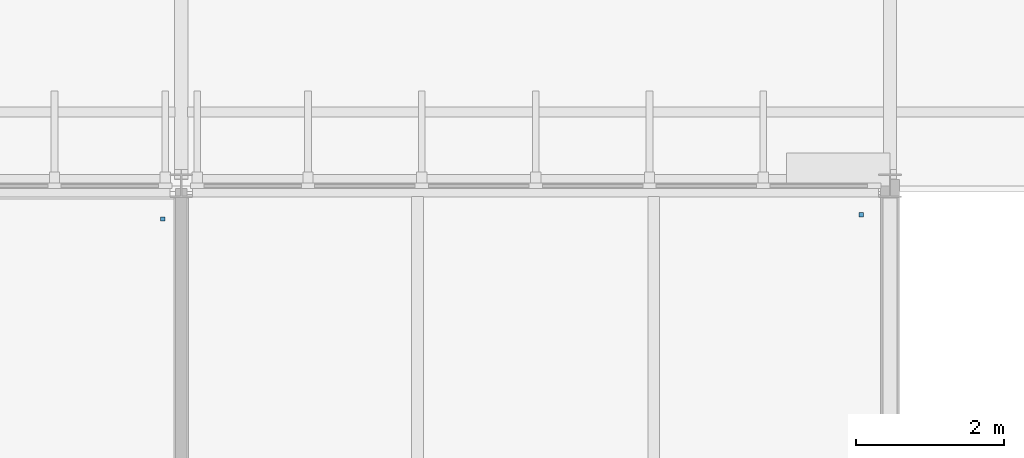
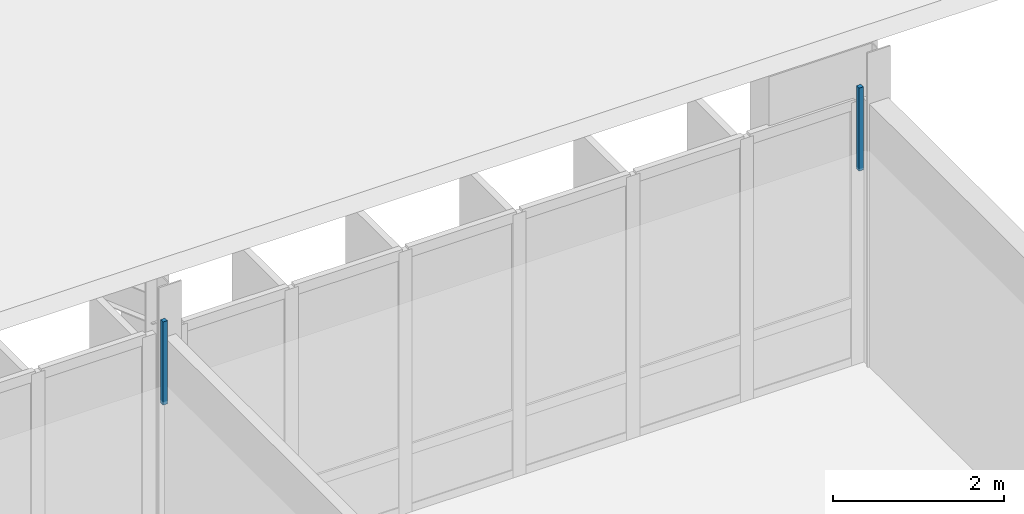
# One storey, part 77 of 107: 2 discrete accessories.
"""IFC4 building model written with IfcOpenShell, lengths in metres."""

from ifc_helpers import new_model, si_unit, direction, frame, origin, place, context, subcontext, project, spatial, polyline, outline, extrude, material, type_object, element, save


model = new_model("IFC4")

# Units and contexts
model_context = context("Model", 3, precision=1e-05, world=origin(), true_north=direction((0.0, 1.0)))
body_context = subcontext(model_context, "Body", "Model", "MODEL_VIEW")
ifc_project = project(units=[si_unit("LENGTHUNIT", "METRE"), si_unit("AREAUNIT", "SQUARE_METRE"), si_unit("VOLUMEUNIT", "CUBIC_METRE"), si_unit("PLANEANGLEUNIT", "RADIAN"), si_unit("MASSUNIT", "GRAM", prefix="KILO")], contexts=[model_context])

# Site, building, storey
site_placement = place(None, origin())
site = spatial("IfcSite", under=ifc_project, at=site_placement, CompositionType="ELEMENT")
building_placement = place(site_placement, origin())
building = spatial("IfcBuilding", under=site, at=building_placement, Name="Dunescarp Central Library", CompositionType="ELEMENT")
storey_placement = place(building_placement, frame((0.0, 0.0, 5.10009765625)))
storey = spatial("IfcBuildingStorey", under=building, at=storey_placement, Name="L01", CompositionType="ELEMENT", Elevation=5.10009765625)

# Discrete accessories
ifc_material = material(Name="Stainless steel Grade 316L", Category="steel")
discrete_accessory_type = type_object("IfcDiscreteAccessoryType", Name="ARC-ACC-BRK", PredefinedType="BRACKET", material=ifc_material)
discrete_accessory_1_placement = place(storey_placement, frame((0.0, 0.0, 3.059814453125)))
element("IfcDiscreteAccessory", 1, at=discrete_accessory_1_placement, inside=storey, type_object=discrete_accessory_type, Name="L01 ceiling hanger CLG-L01-056-H2", PredefinedType="BRACKET", context=body_context, shape_type="SweptSolid", body=[
    extrude(outline(polyline([(66.919921875, 36.320068359375), (66.97998046875, 36.320068359375), (66.97998046875, 36.3798828125), (66.919921875, 36.3798828125), (66.919921875, 36.320068359375)])), origin(), (0.0, 0.0, 1.0), 1.190185546875),
])
discrete_accessory_2_placement = place(storey_placement, frame((0.0, 0.0, 3.059814453125)))
element("IfcDiscreteAccessory", 2, at=discrete_accessory_2_placement, inside=storey, type_object=discrete_accessory_type, Name="L01 ceiling hanger CLG-L01-058-H2", PredefinedType="BRACKET", context=body_context, shape_type="SweptSolid", body=[
    extrude(outline(polyline([(76.3798828125, 36.3798828125), (76.43994140625, 36.3798828125), (76.43994140625, 36.43994140625), (76.3798828125, 36.43994140625), (76.3798828125, 36.3798828125)])), origin(), (0.0, 0.0, 1.0), 1.190185546875),
])

save(model, "model.ifc")
